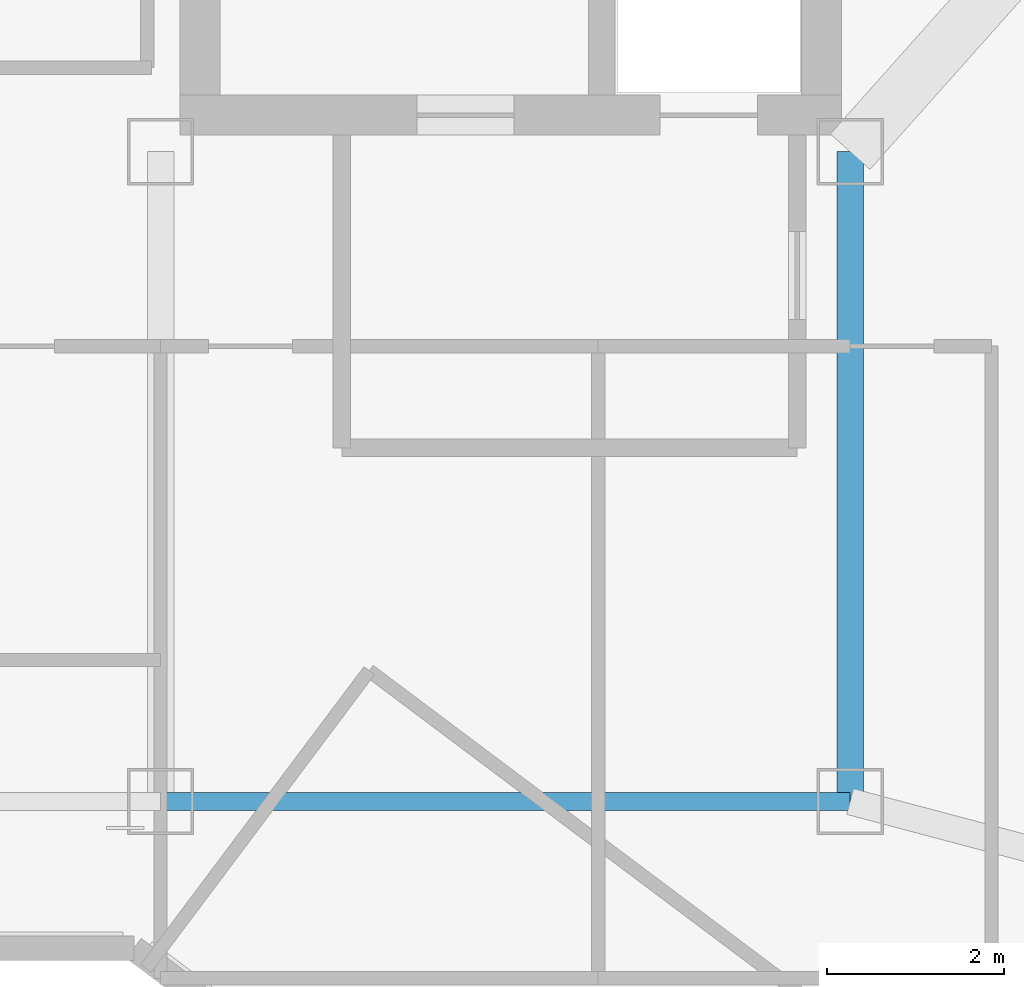
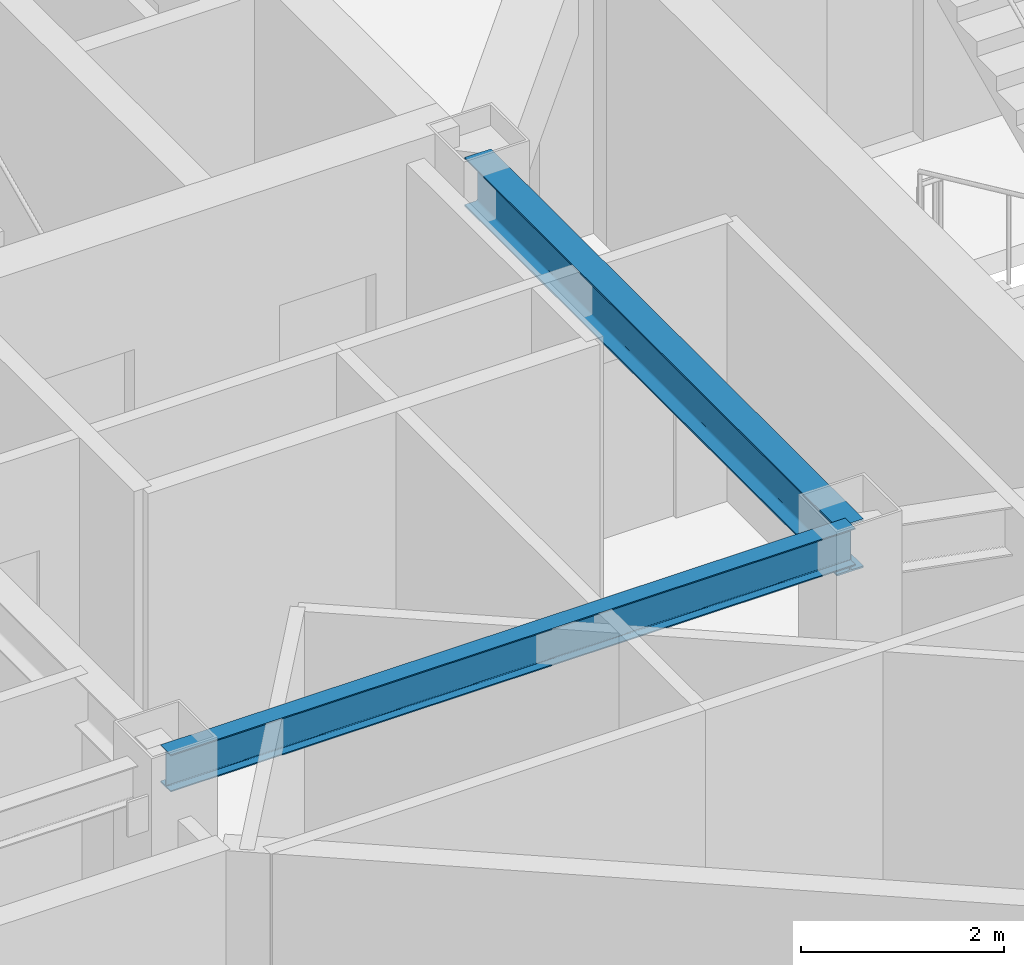
# One storey, part 5 of 26: 2 beams.
"""IFC4 building model written with IfcOpenShell, lengths in metres."""

from ifc_helpers import new_model, si_unit, direction, frame, origin, origin_2d, place, context, subcontext, project, spatial, i_section, extrude, material, material_profile, profile_set, type_object, element, save


model = new_model("IFC4")

# Units and contexts
model_context = context("Model", 3, precision=1e-05, world=origin(), true_north=direction((0.0, 1.0)))
body_context = subcontext(model_context, "Body", "Model", "MODEL_VIEW")
ifc_project = project(units=[si_unit("LENGTHUNIT", "METRE"), si_unit("AREAUNIT", "SQUARE_METRE"), si_unit("VOLUMEUNIT", "CUBIC_METRE"), si_unit("PLANEANGLEUNIT", "RADIAN"), si_unit("MASSUNIT", "GRAM", prefix="KILO")], contexts=[model_context])

# Site, building, storey
site_placement = place(None, origin())
site = spatial("IfcSite", under=ifc_project, at=site_placement, CompositionType="ELEMENT")
building_placement = place(site_placement, origin())
building = spatial("IfcBuilding", under=site, at=building_placement, Name="Hatsunagi Terrace Concourse", CompositionType="ELEMENT")
storey_placement = place(building_placement, frame((0.0, 0.0, 209.550048828125)))
storey = spatial("IfcBuildingStorey", under=building, at=storey_placement, Name="L55", CompositionType="ELEMENT", Elevation=209.550048828125)

# Beams
ifc_material_1 = material(Name="Steel SN490B", Category="steel")
ifc_material_profile_1 = material_profile(ifc_material_1, i_section(OverallWidth=0.300048828125, OverallDepth=0.587890625, WebThickness=0.011962890625, FlangeThickness=0.02001953125, FilletRadius=0.01806640625, at=origin_2d()), Name="H-588x300x12x20")
ifc_profile_set_1 = profile_set([ifc_material_profile_1], Name="Steel SN490B")
beam_type_1 = type_object("IfcBeamType", Name="OfficeHighGirder_H_588x300", PredefinedType="BEAM", material=ifc_profile_set_1)
beam_1_placement = place(storey_placement, frame((33.35009765625, 25.199951171875, 3.055908203125), z_axis=(0.0, 1.0, 0.0), x_axis=(-1.0, 0.0, 0.0)))
element("IfcBeam", 1, at=beam_1_placement, inside=storey, type_object=beam_type_1, Name="Beam G-06 BM-L55-K2CA", PredefinedType="BEAM", context=body_context, shape_type="SweptSolid", body=[
    extrude(i_section(OverallWidth=0.300048828125, OverallDepth=0.587890625, WebThickness=0.011962890625, FlangeThickness=0.02001953125, FilletRadius=0.01806640625, at=origin_2d()), origin(), (0.0, 0.0, 1.0), 7.35009765625),
])
ifc_material_2 = material(Name="Steel SN490B", Category="steel")
ifc_material_profile_2 = material_profile(ifc_material_2, i_section(OverallWidth=0.199951171875, OverallDepth=0.449951171875, WebThickness=0.009033203125, FlangeThickness=0.013916015625, FilletRadius=0.01611328125, at=origin_2d()), Name="H-450x200x9x14")
ifc_profile_set_2 = profile_set([ifc_material_profile_2], Name="Steel SN490B")
beam_type_2 = type_object("IfcBeamType", Name="PerimeterSpandrel_H_450x200", PredefinedType="SPANDREL", material=ifc_profile_set_2)
beam_2_placement = place(storey_placement, frame((25.550048828125, 25.199951171875, 3.125), z_axis=(1.0, 0.0, 0.0), x_axis=(0.0, 1.0, 0.0)))
element("IfcBeam", 2, at=beam_2_placement, inside=storey, type_object=beam_type_2, Name="Beam SP-02 BM-L55-WS-25", PredefinedType="SPANDREL", context=body_context, shape_type="SweptSolid", body=[
    extrude(i_section(OverallWidth=0.199951171875, OverallDepth=0.449951171875, WebThickness=0.009033203125, FlangeThickness=0.013916015625, FilletRadius=0.01611328125, at=origin_2d()), origin(), (0.0, 0.0, 1.0), 7.800048828125),
])

save(model, "model.ifc")
